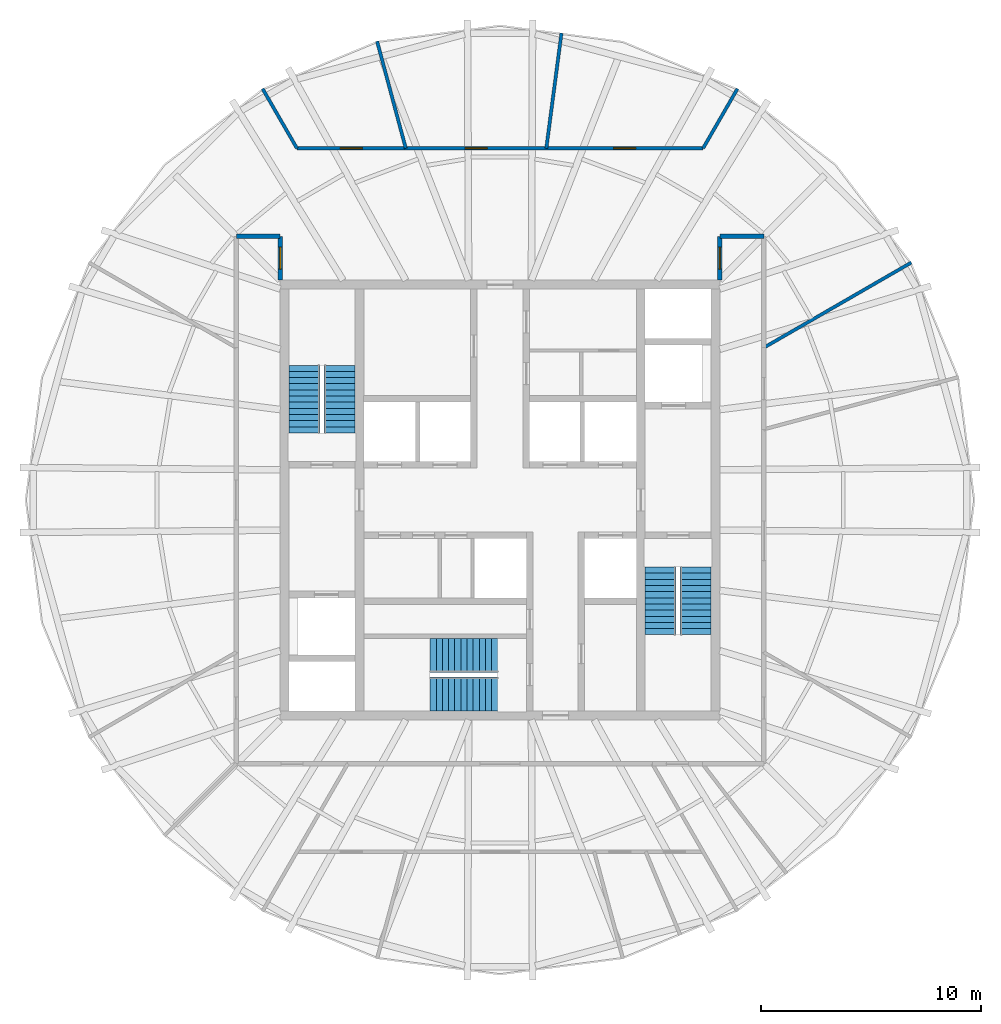
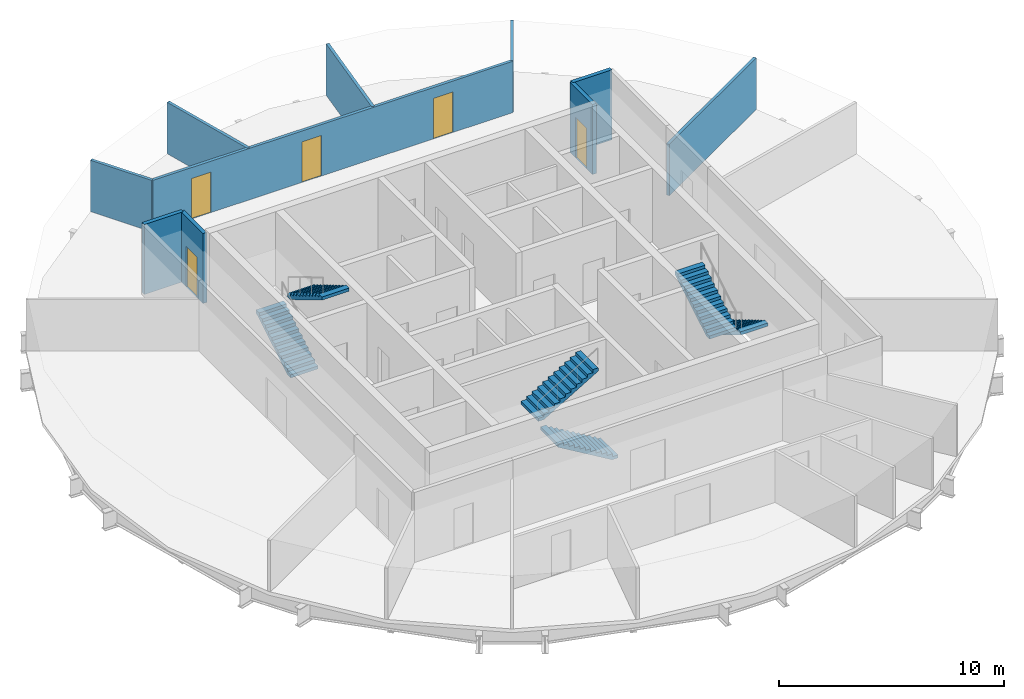
# One storey, part 5 of 6: 10 walls, 6 stair flights, 5 doors, 5 openings, 3 elements without a shape of their own.
"""IFC4 building model written with IfcOpenShell, lengths in metres."""

from ifc_helpers import new_model, si_unit, direction, frame, frame_2d, origin, place, context, subcontext, project, spatial, polyline, rectangle, outline, extrude, material, layer, layer_set, type_object, element, fill, aggregate, save


model = new_model("IFC4")

# Units and contexts
model_context = context("Model", 3, precision=1e-05, world=origin(), true_north=direction((0.0, 1.0)))
body_context = subcontext(model_context, "Body", "Model", "MODEL_VIEW")
ifc_project = project(units=[si_unit("LENGTHUNIT", "METRE"), si_unit("AREAUNIT", "SQUARE_METRE"), si_unit("VOLUMEUNIT", "CUBIC_METRE"), si_unit("PLANEANGLEUNIT", "RADIAN"), si_unit("MASSUNIT", "GRAM", prefix="KILO")], contexts=[model_context])

# Site, building, storey
site_placement = place(None, origin())
site = spatial("IfcSite", under=ifc_project, at=site_placement, CompositionType="ELEMENT")
building_placement = place(site_placement, origin())
building = spatial("IfcBuilding", under=site, at=building_placement, Name="Golbaran Civic Tower", CompositionType="ELEMENT")
storey_placement = place(building_placement, frame((0.0, 0.0, 276.0)))
storey = spatial("IfcBuildingStorey", under=building, at=storey_placement, Name="L67", CompositionType="ELEMENT", Elevation=276.0)

# Walls
ifc_material_1 = material(Name="Gypsum board on steel studs, fire-rated", Category="steel")
ifc_layer_1 = layer(ifc_material_1, 0.199951171875, Name="Gypsum board on steel studs, fire-rated")
ifc_layer_set_1 = layer_set([ifc_layer_1], Name="Gypsum board on steel studs, fire-rated")
wall_type_1 = type_object("IfcWallType", Name="CORRIDOR WALL 200", PredefinedType="PARTITIONING", material=ifc_layer_set_1)
for number, where, z_axis, x_axis, name in (
    (1, (12.0, 12.0, 0.0), (0.0, 0.0, 1.0), (-1.0, 0.0, 0.0), "Corridor wall L67"),
    (2, (-10.0, 12.0, 0.0), (0.0, 0.0, 1.0), (-1.0, 0.0, 0.0), "Corridor wall L67"),
):
    element("IfcWall", number, at=place(storey_placement, frame(where, z_axis=z_axis, x_axis=x_axis)), inside=storey, type_object=wall_type_1, Name=name, PredefinedType="PARTITIONING", context=body_context, shape_type="SweptSolid", body=[
        extrude(rectangle(XDim=2.0, YDim=0.199951171875, at=frame_2d((1.0, 0.0))), origin(), (0.0, 0.0, 1.0), 3.800048828125),
    ])

# Wall, opening, door
wall_1_placement = place(storey_placement, frame((-10.0, 10.0, 0.0), z_axis=(0.0, 0.0, 1.0), x_axis=(0.0, 1.0, 0.0)))
wall_1 = element("IfcWall", 3, at=wall_1_placement, inside=storey, type_object=wall_type_1, Name="Corridor end wall L67", PredefinedType="PARTITIONING", context=body_context, shape_type="SweptSolid", body=[
    extrude(rectangle(XDim=2.0, YDim=0.199951171875, at=frame_2d((1.0, 0.0))), origin(), (0.0, 0.0, 1.0), 3.800048828125),
])
opening_1_placement = place(wall_1_placement, frame((0.5, 0.0, 0.0)))
opening_1 = element("IfcOpeningElement", 4, at=opening_1_placement, cuts=wall_1, Name="Opening L67.16", PredefinedType="OPENING", context=body_context, shape_type="SweptSolid", body=[
    extrude(rectangle(XDim=1.0, YDim=2.199951171875, at=frame_2d((0.5, 1.10009765625))), frame((0.0, 0.10986328125, 0.0), z_axis=(0.0, -1.0, 0.0), x_axis=(1.0, 0.0, 0.0)), (0.0, 0.0, 1.0), 0.219970703125),
])
ifc_material_2 = material(Name="Timber door set in steel frame", Category="steel")
door_type = type_object("IfcDoorType", Name="OFFICE DOOR 1000x2200", OperationType="SINGLE_SWING_LEFT", PredefinedType="DOOR", material=ifc_material_2)
door_1_placement = place(opening_1_placement, origin())
door_1 = element("IfcDoor", 5, at=door_1_placement, inside=storey, type_object=door_type, Name="Open Office door L67", OperationType="SINGLE_SWING_LEFT", OverallHeight=2.199951171875, OverallWidth=1.0, PredefinedType="DOOR", context=body_context, shape_type="SweptSolid", body=[
    extrude(rectangle(XDim=1.0, YDim=2.199951171875, at=frame_2d((0.5, 1.10009765625))), frame((0.0, 0.02490234375, 0.0), z_axis=(0.0, -1.0, 0.0), x_axis=(1.0, 0.0, 0.0)), (0.0, 0.0, 1.0), 0.050048828125),
])
fill(opening_1, door_1)

wall_2_placement = place(storey_placement, frame((10.0, 10.0, 0.0), z_axis=(0.0, 0.0, 1.0), x_axis=(0.0, 1.0, 0.0)))
wall_2 = element("IfcWall", 6, at=wall_2_placement, inside=storey, type_object=wall_type_1, Name="Corridor end wall L67", PredefinedType="PARTITIONING", context=body_context, shape_type="SweptSolid", body=[
    extrude(rectangle(XDim=2.0, YDim=0.199951171875, at=frame_2d((1.0, 0.0))), origin(), (0.0, 0.0, 1.0), 3.800048828125),
])
opening_2_placement = place(wall_2_placement, frame((0.5, 0.0, 0.0)))
opening_2 = element("IfcOpeningElement", 7, at=opening_2_placement, cuts=wall_2, Name="Opening L67.17", PredefinedType="OPENING", context=body_context, shape_type="SweptSolid", body=[
    extrude(rectangle(XDim=1.0, YDim=2.199951171875, at=frame_2d((0.5, 1.10009765625))), frame((0.0, 0.10986328125, 0.0), z_axis=(0.0, -1.0, 0.0), x_axis=(1.0, 0.0, 0.0)), (0.0, 0.0, 1.0), 0.219970703125),
])
door_2_placement = place(opening_2_placement, origin())
door_2 = element("IfcDoor", 8, at=door_2_placement, inside=storey, type_object=door_type, Name="Open Office door L67", OperationType="SINGLE_SWING_LEFT", OverallHeight=2.199951171875, OverallWidth=1.0, PredefinedType="DOOR", context=body_context, shape_type="SweptSolid", body=[
    extrude(rectangle(XDim=1.0, YDim=2.199951171875, at=frame_2d((0.5, 1.10009765625))), frame((0.0, 0.02490234375, 0.0), z_axis=(0.0, -1.0, 0.0), x_axis=(1.0, 0.0, 0.0)), (0.0, 0.0, 1.0), 0.050048828125),
])
fill(opening_2, door_2)

# Wall
ifc_material_3 = material(Name="Gypsum board on steel studs", Category="steel")
ifc_layer_2 = layer(ifc_material_3, 0.14990234375, Name="Gypsum board on steel studs")
ifc_layer_set_2 = layer_set([ifc_layer_2], Name="Gypsum board on steel studs")
wall_type_2 = type_object("IfcWallType", Name="OFFICE PARTITION 150", PredefinedType="PARTITIONING", material=ifc_layer_set_2)
wall_3_placement = place(storey_placement, frame((12.0, 6.92822265625, 0.0), z_axis=(0.0, 0.0, 1.0), x_axis=(0.866025099701, 0.500000526688, 0.0)))
element("IfcWall", 9, at=wall_3_placement, inside=storey, type_object=wall_type_2, Name="Partition 30 L67", PredefinedType="PARTITIONING", context=body_context, shape_type="SweptSolid", body=[
    extrude(rectangle(XDim=7.751953125, YDim=0.14990234375, at=frame_2d((3.8759765625, 0.0))), origin(), (0.0, 0.0, 1.0), 2.7900390625),
])

# Wall, openings, doors
wall_4_placement = place(storey_placement, frame((9.237548828125, 16.0, 0.0), z_axis=(0.0, 0.0, 1.0), x_axis=(-1.0, 0.0, 0.0)))
wall_4 = element("IfcWall", 10, at=wall_4_placement, inside=storey, type_object=wall_type_2, Name="Suite partition L67", PredefinedType="PARTITIONING", context=body_context, shape_type="SweptSolid", body=[
    extrude(rectangle(XDim=18.47509765625, YDim=0.14990234375, at=frame_2d((9.237548828125, 0.0))), origin(), (0.0, 0.0, 1.0), 2.7900390625),
])
opening_3_placement = place(wall_4_placement, frame((3.065673828125, 0.0, 0.0)))
opening_3 = element("IfcOpeningElement", 11, at=opening_3_placement, cuts=wall_4, Name="Opening L67.01", PredefinedType="OPENING", context=body_context, shape_type="SweptSolid", body=[
    extrude(rectangle(XDim=1.0, YDim=2.199951171875, at=frame_2d((0.5, 1.10009765625))), frame((0.0, 0.0849609375, 0.0), z_axis=(0.0, -1.0, 0.0), x_axis=(1.0, 0.0, 0.0)), (0.0, 0.0, 1.0), 0.169921875),
])
opening_4_placement = place(wall_4_placement, frame((9.827880859375, 0.0, 0.0)))
opening_4 = element("IfcOpeningElement", 12, at=opening_4_placement, cuts=wall_4, Name="Opening L67.02", PredefinedType="OPENING", context=body_context, shape_type="SweptSolid", body=[
    extrude(rectangle(XDim=1.0, YDim=2.199951171875, at=frame_2d((0.5, 1.10009765625))), frame((0.0, 0.0849609375, 0.0), z_axis=(0.0, -1.0, 0.0), x_axis=(1.0, 0.0, 0.0)), (0.0, 0.0, 1.0), 0.169921875),
])
opening_5_placement = place(wall_4_placement, frame((15.5, 0.0, 0.0)))
opening_5 = element("IfcOpeningElement", 13, at=opening_5_placement, cuts=wall_4, Name="Opening L67.03", PredefinedType="OPENING", context=body_context, shape_type="SweptSolid", body=[
    extrude(rectangle(XDim=1.0, YDim=2.199951171875, at=frame_2d((0.5, 1.10009765625))), frame((0.0, 0.0849609375, 0.0), z_axis=(0.0, -1.0, 0.0), x_axis=(1.0, 0.0, 0.0)), (0.0, 0.0, 1.0), 0.169921875),
])
door_3_placement = place(opening_3_placement, origin())
door_3 = element("IfcDoor", 14, at=door_3_placement, inside=storey, type_object=door_type, Name="Minister's Office door L67", OperationType="SINGLE_SWING_LEFT", OverallHeight=2.199951171875, OverallWidth=1.0, PredefinedType="DOOR", context=body_context, shape_type="SweptSolid", body=[
    extrude(rectangle(XDim=1.0, YDim=2.199951171875, at=frame_2d((0.5, 1.10009765625))), frame((0.0, 0.02490234375, 0.0), z_axis=(0.0, -1.0, 0.0), x_axis=(1.0, 0.0, 0.0)), (0.0, 0.0, 1.0), 0.050048828125),
])
fill(opening_3, door_3)
door_4_placement = place(opening_4_placement, origin())
door_4 = element("IfcDoor", 15, at=door_4_placement, inside=storey, type_object=door_type, Name="Private Meeting Room door L67", OperationType="SINGLE_SWING_RIGHT", OverallHeight=2.199951171875, OverallWidth=1.0, PredefinedType="DOOR", context=body_context, shape_type="SweptSolid", body=[
    extrude(rectangle(XDim=1.0, YDim=2.199951171875, at=frame_2d((0.5, 1.10009765625))), frame((0.0, 0.02490234375, 0.0), z_axis=(0.0, -1.0, 0.0), x_axis=(1.0, 0.0, 0.0)), (0.0, 0.0, 1.0), 0.050048828125),
])
fill(opening_4, door_4)
door_5_placement = place(opening_5_placement, origin())
door_5 = element("IfcDoor", 16, at=door_5_placement, inside=storey, type_object=door_type, Name="Assistants' Office door L67", OperationType="SINGLE_SWING_RIGHT", OverallHeight=2.199951171875, OverallWidth=1.0, PredefinedType="DOOR", context=body_context, shape_type="SweptSolid", body=[
    extrude(rectangle(XDim=1.0, YDim=2.199951171875, at=frame_2d((0.5, 1.10009765625))), frame((0.0, 0.02490234375, 0.0), z_axis=(0.0, -1.0, 0.0), x_axis=(1.0, 0.0, 0.0)), (0.0, 0.0, 1.0), 0.050048828125),
])
fill(opening_5, door_5)

# Walls
for number, where, z_axis, x_axis, name in (
    (17, (9.237548828125, 16.0, 0.0), (0.0, 0.0, 1.0), (0.500019233215, 0.866014299198, 0.0), "Suite side partition L67"),
    (18, (-9.237548828125, 16.0, 0.0), (0.0, 0.0, 1.0), (-0.500019233215, 0.866014299198, 0.0), "Suite side partition L67"),
):
    element("IfcWall", number, at=place(storey_placement, frame(where, z_axis=z_axis, x_axis=x_axis)), inside=storey, type_object=wall_type_2, Name=name, PredefinedType="PARTITIONING", context=body_context, shape_type="SweptSolid", body=[
        extrude(rectangle(XDim=3.13330078125, YDim=0.14990234375, at=frame_2d((1.566650390625, 0.0))), origin(), (0.0, 0.0, 1.0), 2.7900390625),
    ])
wall_5_placement = place(storey_placement, frame((2.1064453125, 16.0, 0.0), z_axis=(0.0, 0.0, 1.0), x_axis=(0.13054174127, 0.991442814179, 0.0)))
element("IfcWall", 19, at=wall_5_placement, inside=storey, type_object=wall_type_2, Name="Partition 82.5 L67", PredefinedType="PARTITIONING", context=body_context, shape_type="SweptSolid", body=[
    extrude(rectangle(XDim=5.28515625, YDim=0.14990234375, at=frame_2d((2.642578125, 0.0))), origin(), (0.0, 0.0, 1.0), 2.7900390625),
])
wall_6_placement = place(storey_placement, frame((-4.287109375, 16.0, 0.0), z_axis=(0.0, 0.0, 1.0), x_axis=(-0.25882238104, 0.965924932421, 0.0)))
element("IfcWall", 20, at=wall_6_placement, inside=storey, type_object=wall_type_2, Name="Partition 105 L67", PredefinedType="PARTITIONING", context=body_context, shape_type="SweptSolid", body=[
    extrude(rectangle(XDim=5.043701171875, YDim=0.14990234375, at=frame_2d((2.52197265625, 0.0))), origin(), (0.0, 0.0, 1.0), 2.7900390625),
])

# Stair, stair flights
ifc_material_4 = material(Name="Concrete C35/45", Category="concrete")
stair_type_1 = type_object("IfcStairType", Name="EXIT STAIR 3000 x 7850, 4000 RISE", PredefinedType="HALF_TURN_STAIR", material=ifc_material_4)
stair_1_placement = place(storey_placement, origin())
stair_1 = element("IfcStair", 21, at=stair_1_placement, inside=storey, type_object=stair_type_1, Name="Stair S1 L67", PredefinedType="HALF_TURN_STAIR")
stair_flight_type_1 = type_object("IfcStairFlightType", Name="STAIR FLIGHT 1400 WIDE", PredefinedType="STRAIGHT", material=ifc_material_4)
stair_flight_1_placement = place(storey_placement, frame((-8.89990234375, 3.050048828125, 0.0), z_axis=(0.0, 0.0, 1.0), x_axis=(0.0, 1.0, 0.0)))
stair_flight_1 = element("IfcStairFlight", 22, at=stair_flight_1_placement, type_object=stair_flight_type_1, Name="ST30078-40 flight 1", NumberOfRisers=12, NumberOfTreads=11, PredefinedType="STRAIGHT", RiserHeight=0.166666667, TreadLength=0.28, context=body_context, shape_type="SweptSolid", body=[
    extrude(outline(polyline([(0.0, 0.0), (0.0, 0.166748046875), (0.280029296875, 0.166748046875), (0.280029296875, 0.333251953125), (0.56005859375, 0.333251953125), (0.56005859375, 0.5), (0.840087890625, 0.5), (0.840087890625, 0.666748046875), (1.1201171875, 0.666748046875), (1.1201171875, 0.833251953125), (1.39990234375, 0.833251953125), (1.39990234375, 1.0), (1.679931640625, 1.0), (1.679931640625, 1.166748046875), (1.9599609375, 1.166748046875), (1.9599609375, 1.333251953125), (2.239990234375, 1.333251953125), (2.239990234375, 1.5), (2.52001953125, 1.5), (2.52001953125, 1.666748046875), (2.800048828125, 1.666748046875), (2.800048828125, 1.833251953125), (3.080078125, 1.833251953125), (3.080078125, 2.0), (3.080078125, 1.658935546875), (0.29296875, 0.0), (0.0, 0.0)])), frame((0.0, 0.699951171875, 0.0), z_axis=(0.0, -1.0, 0.0), x_axis=(1.0, 0.0, 0.0)), (0.0, 0.0, 1.0), 1.39990234375),
])
stair_flight_2_placement = place(storey_placement, frame((-7.300048828125, 6.1298828125, 2.0), z_axis=(0.0, 0.0, 1.0), x_axis=(0.0, -1.0, 0.0)))
stair_flight_2 = element("IfcStairFlight", 23, at=stair_flight_2_placement, type_object=stair_flight_type_1, Name="ST30078-40 flight 2", NumberOfRisers=12, NumberOfTreads=11, PredefinedType="STRAIGHT", RiserHeight=0.166666667, TreadLength=0.28, context=body_context, shape_type="SweptSolid", body=[
    extrude(outline(polyline([(0.0, 0.0), (0.0, 0.166748046875), (0.280029296875, 0.166748046875), (0.280029296875, 0.333251953125), (0.56005859375, 0.333251953125), (0.56005859375, 0.5), (0.840087890625, 0.5), (0.840087890625, 0.666748046875), (1.1201171875, 0.666748046875), (1.1201171875, 0.833251953125), (1.39990234375, 0.833251953125), (1.39990234375, 1.0), (1.679931640625, 1.0), (1.679931640625, 1.166748046875), (1.9599609375, 1.166748046875), (1.9599609375, 1.333251953125), (2.239990234375, 1.333251953125), (2.239990234375, 1.5), (2.52001953125, 1.5), (2.52001953125, 1.666748046875), (2.800048828125, 1.666748046875), (2.800048828125, 1.833251953125), (3.080078125, 1.833251953125), (3.080078125, 2.0), (3.080078125, 1.658935546875), (0.29296875, 0.0), (0.0, 0.0)])), frame((0.0, 0.699951171875, 0.0), z_axis=(0.0, -1.0, 0.0), x_axis=(1.0, 0.0, 0.0)), (0.0, 0.0, 1.0), 1.39990234375),
])
aggregate(stair_1, [stair_flight_1, stair_flight_2])

stair_2_placement = place(storey_placement, origin())
stair_2 = element("IfcStair", 24, at=stair_2_placement, inside=storey, type_object=stair_type_1, Name="Stair S2 L67", PredefinedType="HALF_TURN_STAIR")
stair_flight_3_placement = place(storey_placement, frame((8.89990234375, -3.050048828125, 0.0), z_axis=(0.0, 0.0, 1.0), x_axis=(0.0, -1.0, 0.0)))
stair_flight_3 = element("IfcStairFlight", 25, at=stair_flight_3_placement, type_object=stair_flight_type_1, Name="ST30078-40 flight 1", NumberOfRisers=12, NumberOfTreads=11, PredefinedType="STRAIGHT", RiserHeight=0.166666667, TreadLength=0.28, context=body_context, shape_type="SweptSolid", body=[
    extrude(outline(polyline([(0.0, 0.0), (0.0, 0.166748046875), (0.280029296875, 0.166748046875), (0.280029296875, 0.333251953125), (0.56005859375, 0.333251953125), (0.56005859375, 0.5), (0.840087890625, 0.5), (0.840087890625, 0.666748046875), (1.1201171875, 0.666748046875), (1.1201171875, 0.833251953125), (1.39990234375, 0.833251953125), (1.39990234375, 1.0), (1.679931640625, 1.0), (1.679931640625, 1.166748046875), (1.9599609375, 1.166748046875), (1.9599609375, 1.333251953125), (2.239990234375, 1.333251953125), (2.239990234375, 1.5), (2.52001953125, 1.5), (2.52001953125, 1.666748046875), (2.800048828125, 1.666748046875), (2.800048828125, 1.833251953125), (3.080078125, 1.833251953125), (3.080078125, 2.0), (3.080078125, 1.658935546875), (0.29296875, 0.0), (0.0, 0.0)])), frame((0.0, 0.699951171875, 0.0), z_axis=(0.0, -1.0, 0.0), x_axis=(1.0, 0.0, 0.0)), (0.0, 0.0, 1.0), 1.39990234375),
])
stair_flight_4_placement = place(storey_placement, frame((7.300048828125, -6.1298828125, 2.0), z_axis=(0.0, 0.0, 1.0), x_axis=(0.0, 1.0, 0.0)))
stair_flight_4 = element("IfcStairFlight", 26, at=stair_flight_4_placement, type_object=stair_flight_type_1, Name="ST30078-40 flight 2", NumberOfRisers=12, NumberOfTreads=11, PredefinedType="STRAIGHT", RiserHeight=0.166666667, TreadLength=0.28, context=body_context, shape_type="SweptSolid", body=[
    extrude(outline(polyline([(0.0, 0.0), (0.0, 0.166748046875), (0.280029296875, 0.166748046875), (0.280029296875, 0.333251953125), (0.56005859375, 0.333251953125), (0.56005859375, 0.5), (0.840087890625, 0.5), (0.840087890625, 0.666748046875), (1.1201171875, 0.666748046875), (1.1201171875, 0.833251953125), (1.39990234375, 0.833251953125), (1.39990234375, 1.0), (1.679931640625, 1.0), (1.679931640625, 1.166748046875), (1.9599609375, 1.166748046875), (1.9599609375, 1.333251953125), (2.239990234375, 1.333251953125), (2.239990234375, 1.5), (2.52001953125, 1.5), (2.52001953125, 1.666748046875), (2.800048828125, 1.666748046875), (2.800048828125, 1.833251953125), (3.080078125, 1.833251953125), (3.080078125, 2.0), (3.080078125, 1.658935546875), (0.29296875, 0.0), (0.0, 0.0)])), frame((0.0, 0.699951171875, 0.0), z_axis=(0.0, -1.0, 0.0), x_axis=(1.0, 0.0, 0.0)), (0.0, 0.0, 1.0), 1.39990234375),
])
aggregate(stair_2, [stair_flight_3, stair_flight_4])

stair_type_2 = type_object("IfcStairType", Name="EXIT STAIR 3300 x 7400, 4000 RISE", PredefinedType="HALF_TURN_STAIR", material=ifc_material_4)
stair_3_placement = place(storey_placement, origin())
stair_3 = element("IfcStair", 27, at=stair_3_placement, inside=storey, type_object=stair_type_2, Name="Stair S3 L67", PredefinedType="HALF_TURN_STAIR")
stair_flight_type_2 = type_object("IfcStairFlightType", Name="STAIR FLIGHT 1550 WIDE", PredefinedType="STRAIGHT", material=ifc_material_4)
stair_flight_5_placement = place(storey_placement, frame((-0.10009765625, -8.824951171875, 0.0), z_axis=(0.0, 0.0, 1.0), x_axis=(-1.0, 0.0, 0.0)))
stair_flight_5 = element("IfcStairFlight", 28, at=stair_flight_5_placement, type_object=stair_flight_type_2, Name="ST33074-40 flight 1", NumberOfRisers=12, NumberOfTreads=11, PredefinedType="STRAIGHT", RiserHeight=0.166666667, TreadLength=0.28, context=body_context, shape_type="SweptSolid", body=[
    extrude(outline(polyline([(0.0, 0.0), (0.0, 0.166748046875), (0.280029296875, 0.166748046875), (0.280029296875, 0.333251953125), (0.56005859375, 0.333251953125), (0.56005859375, 0.5), (0.840087890625, 0.5), (0.840087890625, 0.666748046875), (1.1201171875, 0.666748046875), (1.1201171875, 0.833251953125), (1.39990234375, 0.833251953125), (1.39990234375, 1.0), (1.679931640625, 1.0), (1.679931640625, 1.166748046875), (1.9599609375, 1.166748046875), (1.9599609375, 1.333251953125), (2.239990234375, 1.333251953125), (2.239990234375, 1.5), (2.52001953125, 1.5), (2.52001953125, 1.666748046875), (2.800048828125, 1.666748046875), (2.800048828125, 1.833251953125), (3.080078125, 1.833251953125), (3.080078125, 2.0), (3.080078125, 1.658935546875), (0.29296875, 0.0), (0.0, 0.0)])), frame((0.0, 0.77490234375, 0.0), z_axis=(0.0, -1.0, 0.0), x_axis=(1.0, 0.0, 0.0)), (0.0, 0.0, 1.0), 1.550048828125),
])
stair_flight_6_placement = place(storey_placement, frame((-3.179931640625, -7.074951171875, 2.0), z_axis=(0.0, 0.0, 1.0), x_axis=(1.0, 0.0, 0.0)))
stair_flight_6 = element("IfcStairFlight", 29, at=stair_flight_6_placement, type_object=stair_flight_type_2, Name="ST33074-40 flight 2", NumberOfRisers=12, NumberOfTreads=11, PredefinedType="STRAIGHT", RiserHeight=0.166666667, TreadLength=0.28, context=body_context, shape_type="SweptSolid", body=[
    extrude(outline(polyline([(0.0, 0.0), (0.0, 0.166748046875), (0.280029296875, 0.166748046875), (0.280029296875, 0.333251953125), (0.56005859375, 0.333251953125), (0.56005859375, 0.5), (0.840087890625, 0.5), (0.840087890625, 0.666748046875), (1.1201171875, 0.666748046875), (1.1201171875, 0.833251953125), (1.39990234375, 0.833251953125), (1.39990234375, 1.0), (1.679931640625, 1.0), (1.679931640625, 1.166748046875), (1.9599609375, 1.166748046875), (1.9599609375, 1.333251953125), (2.239990234375, 1.333251953125), (2.239990234375, 1.5), (2.52001953125, 1.5), (2.52001953125, 1.666748046875), (2.800048828125, 1.666748046875), (2.800048828125, 1.833251953125), (3.080078125, 1.833251953125), (3.080078125, 2.0), (3.080078125, 1.658935546875), (0.29296875, 0.0), (0.0, 0.0)])), frame((0.0, 0.77490234375, 0.0), z_axis=(0.0, -1.0, 0.0), x_axis=(1.0, 0.0, 0.0)), (0.0, 0.0, 1.0), 1.550048828125),
])
aggregate(stair_3, [stair_flight_5, stair_flight_6])

save(model, "model.ifc")
